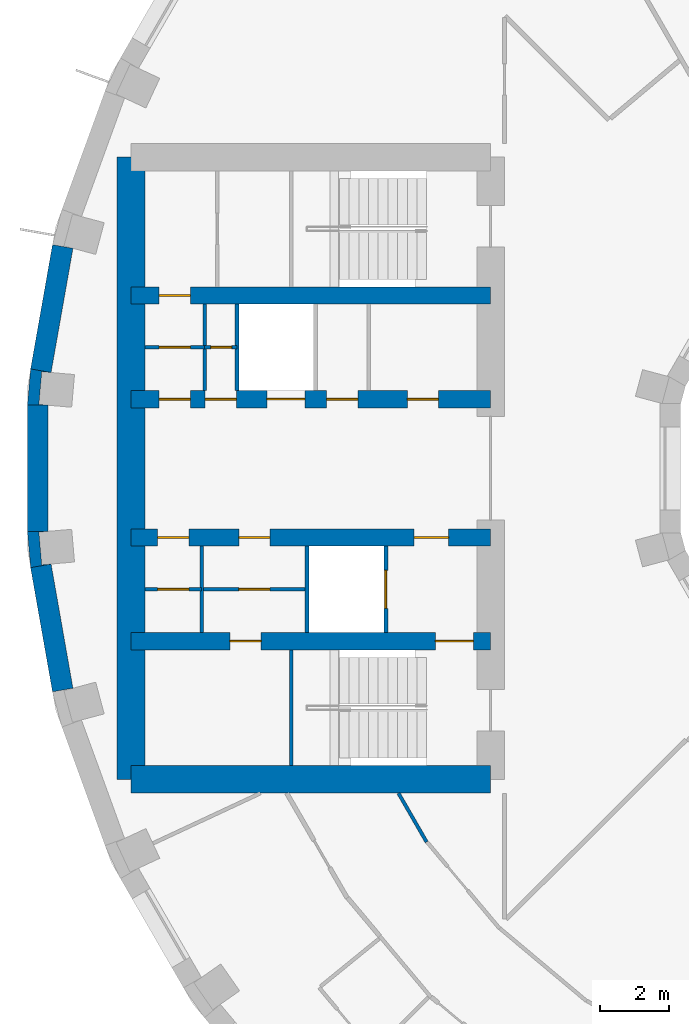
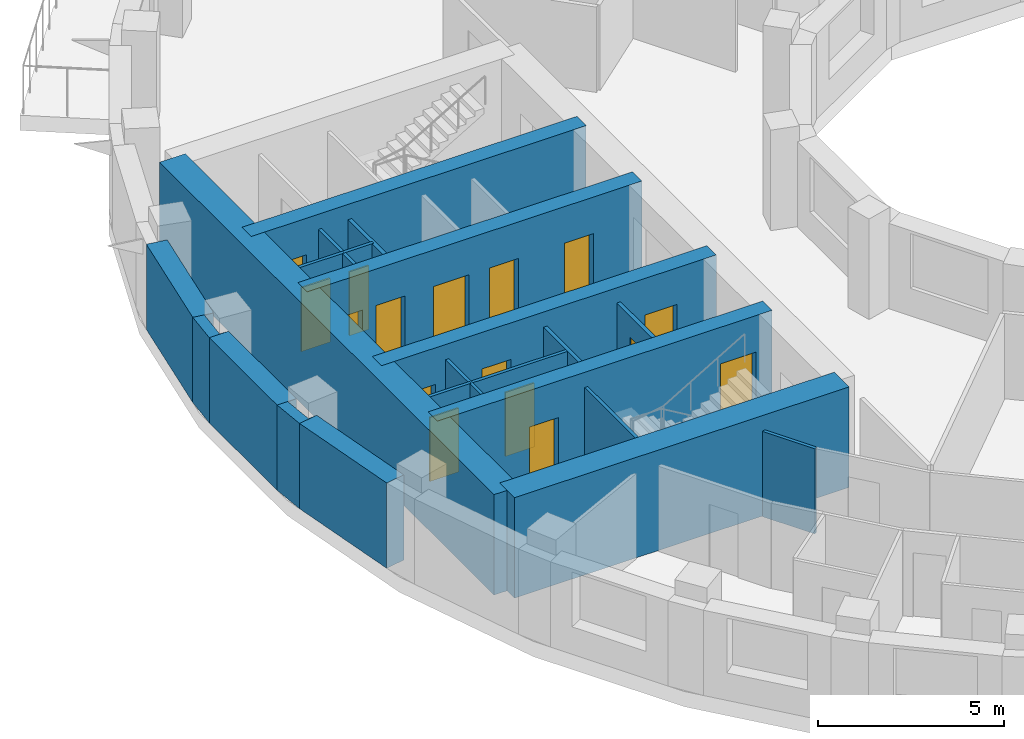
# One storey, part 6 of 14: 22 walls, 16 doors, 16 openings.
"""IFC4 building model written with IfcOpenShell, lengths in metres."""

from ifc_helpers import new_model, si_unit, direction, frame, frame_2d, origin, place, context, subcontext, project, spatial, polyline, rectangle, outline, extrude, material, layer, layer_set, type_object, element, fill, save


model = new_model("IFC4")

# Units and contexts
model_context = context("Model", 3, precision=1e-05, world=origin(), true_north=direction((0.0, 1.0)))
body_context = subcontext(model_context, "Body", "Model", "MODEL_VIEW")
ifc_project = project(units=[si_unit("LENGTHUNIT", "METRE"), si_unit("AREAUNIT", "SQUARE_METRE"), si_unit("VOLUMEUNIT", "CUBIC_METRE"), si_unit("PLANEANGLEUNIT", "RADIAN"), si_unit("MASSUNIT", "GRAM", prefix="KILO")], contexts=[model_context])

# Site, building, storey
site_placement = place(None, origin())
site = spatial("IfcSite", under=ifc_project, at=site_placement, CompositionType="ELEMENT")
building_placement = place(site_placement, origin())
building = spatial("IfcBuilding", under=site, at=building_placement, Name="Saqina Gate Tower", CompositionType="ELEMENT")
storey_placement = place(building_placement, frame((0.0, 0.0, 98.5)))
storey = spatial("IfcBuildingStorey", under=building, at=storey_placement, Name="L27", CompositionType="ELEMENT", Elevation=98.5)

# Walls
ifc_material_1 = material(Name="Brick masonry (buff)", Category="masonry")
wall_type_1 = type_object("IfcWallType", Name="BRICK PIER COPING BUFF", PredefinedType="SOLIDWALL", material=ifc_material_1)
wall_1_placement = place(storey_placement, origin())
element("IfcWall", 1, at=wall_1_placement, inside=storey, type_object=wall_type_1, Name="Pier cap L27 column 18", PredefinedType="SOLIDWALL", context=body_context, shape_type="SweptSolid", body=[
    extrude(outline(polyline([(-26.805419921875, 2.87451171875), (-26.897216796875, 1.823974609375), (-26.29736328125, 1.823974609375), (-26.565185546875, 1.847412109375), (-26.482421875, 2.793701171875), (-26.214599609375, 2.770263671875), (-26.805419921875, 2.87451171875)])), origin(), (0.0, 0.0, 1.0), 2.800048828125),
])
wall_2_placement = place(storey_placement, origin())
element("IfcWall", 2, at=wall_2_placement, inside=storey, type_object=wall_type_1, Name="Pier cap L27 column 19", PredefinedType="SOLIDWALL", context=body_context, shape_type="SweptSolid", body=[
    extrude(outline(polyline([(-26.805419921875, -2.87451171875), (-26.214599609375, -2.770263671875), (-26.482421875, -2.793701171875), (-26.565185546875, -1.847412109375), (-26.29736328125, -1.823974609375), (-26.897216796875, -1.823974609375), (-26.805419921875, -2.87451171875)])), origin(), (0.0, 0.0, 1.0), 2.800048828125),
])
ifc_material_2 = material(Name="Gypsum board on steel studs", Category="steel")
ifc_layer_1 = layer(ifc_material_2, 0.10009765625)
ifc_layer_set_1 = layer_set([ifc_layer_1], Name="CORE PARTITION")
wall_type_2 = type_object("IfcWallType", Name="CORE PARTITION", PredefinedType="PARTITIONING", material=ifc_layer_set_1)
for number, where, z_axis, x_axis, name in (
    (3, (-21.77099609375, 2.25, 0.0), (0.0, 0.0, 1.0), (0.0, 1.0, 0.0), "L27-CP-W04"),
    (4, (-21.8583984375, -4.75, 0.0), (0.0, 0.0, 1.0), (0.0, 1.0, 0.0), "L27-CP-W07"),
):
    element("IfcWall", number, at=place(storey_placement, frame(where, z_axis=z_axis, x_axis=x_axis)), inside=storey, type_object=wall_type_2, Name=name, PredefinedType="PARTITIONING", context=body_context, shape_type="SweptSolid", body=[
        extrude(rectangle(XDim=2.5, YDim=0.10009765625, at=frame_2d((1.25, 0.0))), origin(), (0.0, 0.0, 1.0), 2.800048828125),
    ])

# Wall, opening, door
wall_3_placement = place(storey_placement, frame((-20.840087890625, 3.5, 0.0), z_axis=(0.0, 0.0, 1.0), x_axis=(-1.0, 0.0, 0.0)))
wall_3 = element("IfcWall", 5, at=wall_3_placement, inside=storey, type_object=wall_type_2, Name="L27-CP-W08", PredefinedType="PARTITIONING", context=body_context, shape_type="SweptSolid", body=[
    extrude(rectangle(XDim=0.930908203125, YDim=0.10009765625, at=frame_2d((0.46533203125, 0.0))), origin(), (0.0, 0.0, 1.0), 2.800048828125),
])
opening_1_placement = place(wall_3_placement, frame((0.14990234375, 0.0, 0.0)))
opening_1 = element("IfcOpeningElement", 6, at=opening_1_placement, cuts=wall_3, Name="Opening G07-D141", PredefinedType="OPENING", context=body_context, shape_type="SweptSolid", body=[
    extrude(rectangle(XDim=0.60009765625, YDim=2.10009765625, at=frame_2d((0.300048828125, 1.050048828125))), frame((0.0, 0.06201171875, 0.0), z_axis=(0.0, -1.0, 0.0), x_axis=(1.0, 0.0, 0.0)), (0.0, 0.0, 1.0), 0.1240234375),
])
ifc_material_3 = material(Name="Steel-framed fire door leaf, EI 60", Category="steel")
door_type_1 = type_object("IfcDoorType", Name="SERVICE ROOM DOOR 600", OperationType="SINGLE_SWING_LEFT", PredefinedType="DOOR", material=ifc_material_3)
door_1_placement = place(opening_1_placement, origin())
door_1 = element("IfcDoor", 7, at=door_1_placement, inside=storey, type_object=door_type_1, Name="L27-CD-W26", OperationType="SINGLE_SWING_LEFT", OverallHeight=2.10009765625, OverallWidth=0.60009765625, PredefinedType="DOOR", context=body_context, shape_type="SweptSolid", body=[
    extrude(rectangle(XDim=0.60009765625, YDim=2.10009765625, at=frame_2d((0.300048828125, 1.050048828125))), frame((0.0, 0.02490234375, 0.0), z_axis=(0.0, -1.0, 0.0), x_axis=(1.0, 0.0, 0.0)), (0.0, 0.0, 1.0), 0.050048828125),
])
fill(opening_1, door_1)

wall_4_placement = place(storey_placement, frame((-21.77099609375, 3.5, 0.0), z_axis=(0.0, 0.0, 1.0), x_axis=(-1.0, 0.0, 0.0)))
wall_4 = element("IfcWall", 8, at=wall_4_placement, inside=storey, type_object=wall_type_2, Name="L27-CP-W09", PredefinedType="PARTITIONING", context=body_context, shape_type="SweptSolid", body=[
    extrude(rectangle(XDim=1.72900390625, YDim=0.10009765625, at=frame_2d((0.864501953125, 0.0))), origin(), (0.0, 0.0, 1.0), 2.800048828125),
])
opening_2_placement = place(wall_4_placement, frame((0.41455078125, 0.0, 0.0)))
opening_2 = element("IfcOpeningElement", 9, at=opening_2_placement, cuts=wall_4, Name="Opening G07-D142", PredefinedType="OPENING", context=body_context, shape_type="SweptSolid", body=[
    extrude(rectangle(XDim=0.89990234375, YDim=2.10009765625, at=frame_2d((0.449951171875, 1.050048828125))), frame((0.0, 0.06201171875, 0.0), z_axis=(0.0, -1.0, 0.0), x_axis=(1.0, 0.0, 0.0)), (0.0, 0.0, 1.0), 0.1240234375),
])
ifc_material_4 = material(Name="Steel-framed fire door leaf, EI 60", Category="steel")
door_type_2 = type_object("IfcDoorType", Name="SERVICE ROOM DOOR 900", OperationType="SINGLE_SWING_LEFT", PredefinedType="DOOR", material=ifc_material_4)
door_2_placement = place(opening_2_placement, frame((0.89990234375, 0.0, 0.0), z_axis=(0.0, 0.0, 1.0), x_axis=(-1.0, 0.0, 0.0)))
door_2 = element("IfcDoor", 10, at=door_2_placement, inside=storey, type_object=door_type_2, Name="L27-CD-W27", OperationType="SINGLE_SWING_LEFT", OverallHeight=2.10009765625, OverallWidth=0.89990234375, PredefinedType="DOOR", context=body_context, shape_type="SweptSolid", body=[
    extrude(rectangle(XDim=0.89990234375, YDim=2.10009765625, at=frame_2d((0.449951171875, 1.050048828125))), frame((0.0, 0.02490234375, 0.0), z_axis=(0.0, -1.0, 0.0), x_axis=(1.0, 0.0, 0.0)), (0.0, 0.0, 1.0), 0.050048828125),
])
fill(opening_2, door_2)

wall_5_placement = place(storey_placement, frame((-18.81005859375, -3.5, 0.0), z_axis=(0.0, 0.0, 1.0), x_axis=(-1.0, 0.0, 0.0)))
wall_5 = element("IfcWall", 11, at=wall_5_placement, inside=storey, type_object=wall_type_2, Name="L27-CP-W10", PredefinedType="PARTITIONING", context=body_context, shape_type="SweptSolid", body=[
    extrude(rectangle(XDim=3.04833984375, YDim=0.10009765625, at=frame_2d((1.524169921875, 0.0))), origin(), (0.0, 0.0, 1.0), 2.800048828125),
])
opening_3_placement = place(wall_5_placement, frame((1.07421875, 0.0, 0.0)))
opening_3 = element("IfcOpeningElement", 12, at=opening_3_placement, cuts=wall_5, Name="Opening G07-D120", PredefinedType="OPENING", context=body_context, shape_type="SweptSolid", body=[
    extrude(rectangle(XDim=0.89990234375, YDim=2.10009765625, at=frame_2d((0.449951171875, 1.050048828125))), frame((0.0, 0.06201171875, 0.0), z_axis=(0.0, -1.0, 0.0), x_axis=(1.0, 0.0, 0.0)), (0.0, 0.0, 1.0), 0.1240234375),
])
door_3_placement = place(opening_3_placement, origin())
door_3 = element("IfcDoor", 13, at=door_3_placement, inside=storey, type_object=door_type_2, Name="L27-CD-W31", OperationType="SINGLE_SWING_LEFT", OverallHeight=2.10009765625, OverallWidth=0.89990234375, PredefinedType="DOOR", context=body_context, shape_type="SweptSolid", body=[
    extrude(rectangle(XDim=0.89990234375, YDim=2.10009765625, at=frame_2d((0.449951171875, 1.050048828125))), frame((0.0, 0.02490234375, 0.0), z_axis=(0.0, -1.0, 0.0), x_axis=(1.0, 0.0, 0.0)), (0.0, 0.0, 1.0), 0.050048828125),
])
fill(opening_3, door_3)

wall_6_placement = place(storey_placement, frame((-21.8583984375, -3.5, 0.0), z_axis=(0.0, 0.0, 1.0), x_axis=(-1.0, 0.0, 0.0)))
wall_6 = element("IfcWall", 14, at=wall_6_placement, inside=storey, type_object=wall_type_2, Name="L27-CP-W11", PredefinedType="PARTITIONING", context=body_context, shape_type="SweptSolid", body=[
    extrude(rectangle(XDim=1.6416015625, YDim=0.10009765625, at=frame_2d((0.82080078125, 0.0))), origin(), (0.0, 0.0, 1.0), 2.800048828125),
])
opening_4_placement = place(wall_6_placement, frame((0.370849609375, 0.0, 0.0)))
opening_4 = element("IfcOpeningElement", 15, at=opening_4_placement, cuts=wall_6, Name="Opening G07-D145", PredefinedType="OPENING", context=body_context, shape_type="SweptSolid", body=[
    extrude(rectangle(XDim=0.89990234375, YDim=2.10009765625, at=frame_2d((0.449951171875, 1.050048828125))), frame((0.0, 0.06201171875, 0.0), z_axis=(0.0, -1.0, 0.0), x_axis=(1.0, 0.0, 0.0)), (0.0, 0.0, 1.0), 0.1240234375),
])
door_4_placement = place(opening_4_placement, origin())
door_4 = element("IfcDoor", 16, at=door_4_placement, inside=storey, type_object=door_type_2, Name="L27-CD-W30", OperationType="SINGLE_SWING_RIGHT", OverallHeight=2.10009765625, OverallWidth=0.89990234375, PredefinedType="DOOR", context=body_context, shape_type="SweptSolid", body=[
    extrude(rectangle(XDim=0.89990234375, YDim=2.10009765625, at=frame_2d((0.449951171875, 1.050048828125))), frame((0.0, 0.02490234375, 0.0), z_axis=(0.0, -1.0, 0.0), x_axis=(1.0, 0.0, 0.0)), (0.0, 0.0, 1.0), 0.050048828125),
])
fill(opening_4, door_4)

# Walls
ifc_material_5 = material(Name="Glazed ceramic tile", Category="ceramic")
ifc_layer_2 = layer(ifc_material_5, 0.60009765625)
ifc_layer_set_2 = layer_set([ifc_layer_2], Name="FW-TILE")
wall_type_3 = type_object("IfcWallType", Name="FW-TILE", PredefinedType="SOLIDWALL", material=ifc_layer_set_2)
wall_7_placement = place(storey_placement, frame((-26.59716796875, 1.823974609375, 0.0), z_axis=(0.0, 0.0, 1.0), x_axis=(0.0, -1.0, 0.0)))
element("IfcWall", 17, at=wall_7_placement, inside=storey, type_object=wall_type_3, Name="Facade wall L27 facet 18", PredefinedType="SOLIDWALL", context=body_context, shape_type="SweptSolid", body=[
    extrude(rectangle(XDim=3.64794921875, YDim=0.60009765625, at=frame_2d((1.823974609375, 0.0))), origin(), (0.0, 0.0, 1.0), 2.800048828125),
])
ifc_material_6 = material(Name="Glazed ceramic tile (dark blue)", Category="ceramic")
ifc_layer_3 = layer(ifc_material_6, 0.60009765625)
ifc_layer_set_3 = layer_set([ifc_layer_3], Name="FW-TILE-CB")
wall_type_4 = type_object("IfcWallType", Name="FW-TILE-CB", PredefinedType="SOLIDWALL", material=ifc_layer_set_3)
wall_8_placement = place(storey_placement, frame((-26.510009765625, -2.822265625, 0.0), z_axis=(0.0, 0.0, 1.0), x_axis=(0.173670796382, -0.984803764455, 0.0)))
element("IfcWall", 18, at=wall_8_placement, inside=storey, type_object=wall_type_4, Name="Facade wall L27 facet 19", PredefinedType="SOLIDWALL", context=body_context, shape_type="SweptSolid", body=[
    extrude(rectangle(XDim=3.64794921875, YDim=0.60009765625, at=frame_2d((1.823974609375, 0.0))), origin(), (0.0, 0.0, 1.0), 2.800048828125),
])
ifc_material_7 = material(Name="Glazed ceramic tile (white)", Category="ceramic")
ifc_layer_4 = layer(ifc_material_7, 0.60009765625)
ifc_layer_set_4 = layer_set([ifc_layer_4], Name="FW-TILE-WH")
wall_type_5 = type_object("IfcWallType", Name="FW-TILE-WH", PredefinedType="SOLIDWALL", material=ifc_layer_set_4)
wall_9_placement = place(storey_placement, frame((-25.87646484375, 6.414794921875, 0.0), z_axis=(0.0, 0.0, 1.0), x_axis=(-0.173670796382, -0.984803764455, 0.0)))
element("IfcWall", 19, at=wall_9_placement, inside=storey, type_object=wall_type_5, Name="Facade wall L27 facet 17", PredefinedType="SOLIDWALL", context=body_context, shape_type="SweptSolid", body=[
    extrude(rectangle(XDim=3.64794921875, YDim=0.60009765625, at=frame_2d((1.823974609375, 0.0))), origin(), (0.0, 0.0, 1.0), 2.800048828125),
])
ifc_material_8 = material(Name="Gypsum board on steel studs, 100 mm", Category="steel")
ifc_layer_5 = layer(ifc_material_8, 0.10009765625)
ifc_layer_set_5 = layer_set([ifc_layer_5], Name="PARTITION 100")
wall_type_6 = type_object("IfcWallType", Name="PARTITION 100", PredefinedType="PARTITIONING", material=ifc_layer_set_5)
wall_10_placement = place(storey_placement, frame((-16.1640625, -9.39990234375, 0.0), z_axis=(0.0, 0.0, 1.0), x_axis=(0.499687832671, -0.866205558676, 0.0)))
element("IfcWall", 20, at=wall_10_placement, inside=storey, type_object=wall_type_6, Name="PARTITION PW3-10", PredefinedType="PARTITIONING", context=body_context, shape_type="SweptSolid", body=[
    extrude(rectangle(XDim=1.6279296875, YDim=0.10009765625, at=frame_2d((0.81396484375, 0.0))), origin(), (0.0, 0.0, 1.0), 2.800048828125),
])
ifc_material_9 = material(Name="Autoclaved aerated concrete block", Category="concrete")
ifc_layer_6 = layer(ifc_material_9, 0.1201171875)
ifc_layer_set_6 = layer_set([ifc_layer_6], Name="SHAFT PARTITION")
wall_type_7 = type_object("IfcWallType", Name="SHAFT PARTITION", PredefinedType="PARTITIONING", material=ifc_layer_set_6)
wall_11_placement = place(storey_placement, frame((-20.840087890625, 2.25, 0.0), z_axis=(0.0, 0.0, 1.0), x_axis=(0.0, 1.0, 0.0)))
element("IfcWall", 21, at=wall_11_placement, inside=storey, type_object=wall_type_7, Name="L27-CP-W03", PredefinedType="PARTITIONING", context=body_context, shape_type="SweptSolid", body=[
    extrude(rectangle(XDim=2.5, YDim=0.1201171875, at=frame_2d((1.25, 0.0))), origin(), (0.0, 0.0, 1.0), 2.800048828125),
])

# Wall, opening, door
wall_12_placement = place(storey_placement, frame((-16.530029296875, -4.75, 0.0), z_axis=(0.0, 0.0, 1.0), x_axis=(0.0, 1.0, 0.0)))
wall_12 = element("IfcWall", 22, at=wall_12_placement, inside=storey, type_object=wall_type_7, Name="L27-CP-W05", PredefinedType="PARTITIONING", context=body_context, shape_type="SweptSolid", body=[
    extrude(rectangle(XDim=2.5, YDim=0.1201171875, at=frame_2d((1.25, 0.0))), origin(), (0.0, 0.0, 1.0), 2.800048828125),
])
opening_5_placement = place(wall_12_placement, frame((0.699951171875, 0.0, 0.0)))
opening_5 = element("IfcOpeningElement", 23, at=opening_5_placement, cuts=wall_12, Name="Opening G07-LD4", PredefinedType="OPENING", context=body_context, shape_type="SweptSolid", body=[
    extrude(rectangle(XDim=1.10009765625, YDim=2.10009765625, at=frame_2d((0.550048828125, 1.050048828125))), frame((0.0, 0.072021484375, 0.0), z_axis=(0.0, -1.0, 0.0), x_axis=(1.0, 0.0, 0.0)), (0.0, 0.0, 1.0), 0.14404296875),
])
ifc_material_10 = material(Name="Stainless steel", Category="steel")
door_type_3 = type_object("IfcDoorType", Name="LANDING DOOR", OperationType="DOUBLE_DOOR_SLIDING", PredefinedType="DOOR", material=ifc_material_10)
door_5_placement = place(opening_5_placement, origin())
door_5 = element("IfcDoor", 24, at=door_5_placement, inside=storey, type_object=door_type_3, Name="LANDING DOOR FF2", OperationType="DOUBLE_DOOR_SLIDING", OverallHeight=2.10009765625, OverallWidth=1.10009765625, PredefinedType="DOOR", context=body_context, shape_type="SweptSolid", body=[
    extrude(rectangle(XDim=1.10009765625, YDim=2.10009765625, at=frame_2d((0.550048828125, 1.050048828125))), frame((0.0, 0.02490234375, 0.0), z_axis=(0.0, -1.0, 0.0), x_axis=(1.0, 0.0, 0.0)), (0.0, 0.0, 1.0), 0.050048828125),
])
fill(opening_5, door_5)

# Walls
wall_13_placement = place(storey_placement, frame((-18.81005859375, -4.75, 0.0), z_axis=(0.0, 0.0, 1.0), x_axis=(0.0, 1.0, 0.0)))
element("IfcWall", 25, at=wall_13_placement, inside=storey, type_object=wall_type_7, Name="L27-CP-W06", PredefinedType="PARTITIONING", context=body_context, shape_type="SweptSolid", body=[
    extrude(rectangle(XDim=2.5, YDim=0.1201171875, at=frame_2d((1.25, 0.0))), origin(), (0.0, 0.0, 1.0), 2.800048828125),
])
ifc_material_11 = material(Name="Autoclaved aerated concrete block", Category="concrete")
ifc_layer_7 = layer(ifc_material_11, 0.10009765625)
ifc_layer_set_7 = layer_set([ifc_layer_7], Name="STAIR ENCLOSURE WALL")
wall_type_8 = type_object("IfcWallType", Name="STAIR ENCLOSURE WALL", PredefinedType="PARTITIONING", material=ifc_layer_set_7)
wall_14_placement = place(storey_placement, frame((-19.27001953125, -8.60009765625, 0.0), z_axis=(0.0, 0.0, 1.0), x_axis=(0.0, 1.0, 0.0)))
element("IfcWall", 26, at=wall_14_placement, inside=storey, type_object=wall_type_8, Name="L27-CP-W14", PredefinedType="PARTITIONING", context=body_context, shape_type="SweptSolid", body=[
    extrude(rectangle(XDim=3.35009765625, YDim=0.10009765625, at=frame_2d((1.675048828125, 0.0))), origin(), (0.0, 0.0, 1.0), 2.800048828125),
])

# Wall, opening, door
ifc_material_12 = material(Name="Concrete C70/85", Category="concrete")
ifc_layer_8 = layer(ifc_material_12, 0.5)
ifc_layer_set_8 = layer_set([ifc_layer_8], Name="Concrete C70/85")
wall_type_9 = type_object("IfcWallType", Name="STR-CORE WALL-B-I", PredefinedType="SHEAR", material=ifc_layer_set_8)
wall_15_placement = place(storey_placement, frame((-13.5, 5.0, 0.0), z_axis=(0.0, 0.0, 1.0), x_axis=(-1.0, 0.0, 0.0)))
wall_15 = element("IfcWall", 27, at=wall_15_placement, inside=storey, type_object=wall_type_9, Name="CORE WALL L27 W-X1", PredefinedType="SHEAR", context=body_context, shape_type="SweptSolid", body=[
    extrude(rectangle(XDim=10.39990234375, YDim=0.5, at=frame_2d((5.199951171875, 0.0))), origin(), (0.0, 0.0, 1.0), 3.300048828125),
])
opening_6_placement = place(wall_15_placement, frame((8.685546875, 0.0, 0.0)))
opening_6 = element("IfcOpeningElement", 28, at=opening_6_placement, cuts=wall_15, Name="Opening G07-D144", PredefinedType="OPENING", context=body_context, shape_type="SweptSolid", body=[
    extrude(rectangle(XDim=0.89990234375, YDim=2.10009765625, at=frame_2d((0.449951171875, 1.050048828125))), frame((0.0, 0.261962890625, 0.0), z_axis=(0.0, -1.0, 0.0), x_axis=(1.0, 0.0, 0.0)), (0.0, 0.0, 1.0), 0.52392578125),
])
door_6_placement = place(opening_6_placement, frame((0.89990234375, 0.0, 0.0), z_axis=(0.0, 0.0, 1.0), x_axis=(-1.0, 0.0, 0.0)))
door_6 = element("IfcDoor", 29, at=door_6_placement, inside=storey, type_object=door_type_2, Name="L27-CD-W29", OperationType="SINGLE_SWING_LEFT", OverallHeight=2.10009765625, OverallWidth=0.89990234375, PredefinedType="DOOR", context=body_context, shape_type="SweptSolid", body=[
    extrude(rectangle(XDim=0.89990234375, YDim=2.10009765625, at=frame_2d((0.449951171875, 1.050048828125))), frame((0.0, 0.02490234375, 0.0), z_axis=(0.0, -1.0, 0.0), x_axis=(1.0, 0.0, 0.0)), (0.0, 0.0, 1.0), 0.050048828125),
])
fill(opening_6, door_6)

# Wall, openings, doors
wall_16_placement = place(storey_placement, frame((-13.5, -5.0, 0.0), z_axis=(0.0, 0.0, 1.0), x_axis=(-1.0, 0.0, 0.0)))
wall_16 = element("IfcWall", 30, at=wall_16_placement, inside=storey, type_object=wall_type_9, Name="CORE WALL L27 W-X2", PredefinedType="SHEAR", context=body_context, shape_type="SweptSolid", body=[
    extrude(rectangle(XDim=10.39990234375, YDim=0.5, at=frame_2d((5.199951171875, 0.0))), origin(), (0.0, 0.0, 1.0), 3.300048828125),
])
opening_7_placement = place(wall_16_placement, frame((6.63916015625, 0.0, 0.0)))
opening_7 = element("IfcOpeningElement", 31, at=opening_7_placement, cuts=wall_16, Name="Opening G07-D121", PredefinedType="OPENING", context=body_context, shape_type="SweptSolid", body=[
    extrude(rectangle(XDim=0.89990234375, YDim=2.10009765625, at=frame_2d((0.449951171875, 1.050048828125))), frame((0.0, 0.261962890625, 0.0), z_axis=(0.0, -1.0, 0.0), x_axis=(1.0, 0.0, 0.0)), (0.0, 0.0, 1.0), 0.52392578125),
])
opening_8_placement = place(wall_16_placement, frame((0.5, 0.0, 0.0)))
opening_8 = element("IfcOpeningElement", 32, at=opening_8_placement, cuts=wall_16, Name="Opening G07-D122", PredefinedType="OPENING", context=body_context, shape_type="SweptSolid", body=[
    extrude(rectangle(XDim=1.10009765625, YDim=2.10009765625, at=frame_2d((0.550048828125, 1.050048828125))), frame((0.0, 0.261962890625, 0.0), z_axis=(0.0, -1.0, 0.0), x_axis=(1.0, 0.0, 0.0)), (0.0, 0.0, 1.0), 0.52392578125),
])
ifc_material_13 = material(Name="Steel", Category="steel")
door_type_4 = type_object("IfcDoorType", Name="FIRE LOBBY DOOR EI 60 WIDE", OperationType="SINGLE_SWING_LEFT", PredefinedType="DOOR", material=ifc_material_13)
door_7_placement = place(opening_8_placement, origin())
door_7 = element("IfcDoor", 33, at=door_7_placement, inside=storey, type_object=door_type_4, Name="L27-CD-W33", OperationType="SINGLE_SWING_LEFT", OverallHeight=2.10009765625, OverallWidth=1.10009765625, PredefinedType="DOOR", context=body_context, shape_type="SweptSolid", body=[
    extrude(rectangle(XDim=1.10009765625, YDim=2.10009765625, at=frame_2d((0.550048828125, 1.050048828125))), frame((0.0, 0.02490234375, 0.0), z_axis=(0.0, -1.0, 0.0), x_axis=(1.0, 0.0, 0.0)), (0.0, 0.0, 1.0), 0.050048828125),
])
fill(opening_8, door_7)
door_8_placement = place(opening_7_placement, origin())
door_8 = element("IfcDoor", 34, at=door_8_placement, inside=storey, type_object=door_type_2, Name="L27-CD-W32", OperationType="SINGLE_SWING_RIGHT", OverallHeight=2.10009765625, OverallWidth=0.89990234375, PredefinedType="DOOR", context=body_context, shape_type="SweptSolid", body=[
    extrude(rectangle(XDim=0.89990234375, YDim=2.10009765625, at=frame_2d((0.449951171875, 1.050048828125))), frame((0.0, 0.02490234375, 0.0), z_axis=(0.0, -1.0, 0.0), x_axis=(1.0, 0.0, 0.0)), (0.0, 0.0, 1.0), 0.050048828125),
])
fill(opening_7, door_8)

wall_17_placement = place(storey_placement, frame((-13.5, 2.0, 0.0), z_axis=(0.0, 0.0, 1.0), x_axis=(-1.0, 0.0, 0.0)))
wall_17 = element("IfcWall", 35, at=wall_17_placement, inside=storey, type_object=wall_type_9, Name="CORE WALL L27 W-L1", PredefinedType="SHEAR", context=body_context, shape_type="SweptSolid", body=[
    extrude(rectangle(XDim=10.39990234375, YDim=0.5, at=frame_2d((5.199951171875, 0.0))), origin(), (0.0, 0.0, 1.0), 3.300048828125),
])
opening_9_placement = place(wall_17_placement, frame((5.3701171875, 0.0, 0.0)))
opening_9 = element("IfcOpeningElement", 36, at=opening_9_placement, cuts=wall_17, Name="Opening G07-LD3", PredefinedType="OPENING", context=body_context, shape_type="SweptSolid", body=[
    extrude(rectangle(XDim=1.10009765625, YDim=2.10009765625, at=frame_2d((0.550048828125, 1.050048828125))), frame((0.0, 0.261962890625, 0.0), z_axis=(0.0, -1.0, 0.0), x_axis=(1.0, 0.0, 0.0)), (0.0, 0.0, 1.0), 0.52392578125),
])
opening_10_placement = place(wall_17_placement, frame((1.510986328125, 0.0, 0.0)))
opening_10 = element("IfcOpeningElement", 37, at=opening_10_placement, cuts=wall_17, Name="Opening G07-D105", PredefinedType="OPENING", context=body_context, shape_type="SweptSolid", body=[
    extrude(rectangle(XDim=0.89990234375, YDim=2.10009765625, at=frame_2d((0.449951171875, 1.050048828125))), frame((0.0, 0.261962890625, 0.0), z_axis=(0.0, -1.0, 0.0), x_axis=(1.0, 0.0, 0.0)), (0.0, 0.0, 1.0), 0.52392578125),
])
opening_11_placement = place(wall_17_placement, frame((3.841064453125, 0.0, 0.0)))
opening_11 = element("IfcOpeningElement", 38, at=opening_11_placement, cuts=wall_17, Name="Opening G07-D106", PredefinedType="OPENING", context=body_context, shape_type="SweptSolid", body=[
    extrude(rectangle(XDim=0.89990234375, YDim=2.10009765625, at=frame_2d((0.449951171875, 1.050048828125))), frame((0.0, 0.261962890625, 0.0), z_axis=(0.0, -1.0, 0.0), x_axis=(1.0, 0.0, 0.0)), (0.0, 0.0, 1.0), 0.52392578125),
])
opening_12_placement = place(wall_17_placement, frame((7.35546875, 0.0, 0.0)))
opening_12 = element("IfcOpeningElement", 39, at=opening_12_placement, cuts=wall_17, Name="Opening G07-D137", PredefinedType="OPENING", context=body_context, shape_type="SweptSolid", body=[
    extrude(rectangle(XDim=0.89990234375, YDim=2.10009765625, at=frame_2d((0.449951171875, 1.050048828125))), frame((0.0, 0.261962890625, 0.0), z_axis=(0.0, -1.0, 0.0), x_axis=(1.0, 0.0, 0.0)), (0.0, 0.0, 1.0), 0.52392578125),
])
opening_13_placement = place(wall_17_placement, frame((8.685546875, 0.0, 0.0)))
opening_13 = element("IfcOpeningElement", 40, at=opening_13_placement, cuts=wall_17, Name="Opening G07-D138", PredefinedType="OPENING", context=body_context, shape_type="SweptSolid", body=[
    extrude(rectangle(XDim=0.89990234375, YDim=2.10009765625, at=frame_2d((0.449951171875, 1.050048828125))), frame((0.0, 0.261962890625, 0.0), z_axis=(0.0, -1.0, 0.0), x_axis=(1.0, 0.0, 0.0)), (0.0, 0.0, 1.0), 0.52392578125),
])
door_9_placement = place(opening_9_placement, origin())
door_9 = element("IfcDoor", 41, at=door_9_placement, inside=storey, type_object=door_type_3, Name="LANDING DOOR MR2", OperationType="DOUBLE_DOOR_SLIDING", OverallHeight=2.10009765625, OverallWidth=1.10009765625, PredefinedType="DOOR", context=body_context, shape_type="SweptSolid", body=[
    extrude(rectangle(XDim=1.10009765625, YDim=2.10009765625, at=frame_2d((0.550048828125, 1.050048828125))), frame((0.0, 0.02490234375, 0.0), z_axis=(0.0, -1.0, 0.0), x_axis=(1.0, 0.0, 0.0)), (0.0, 0.0, 1.0), 0.050048828125),
])
fill(opening_9, door_9)
door_10_placement = place(opening_10_placement, frame((0.89990234375, 0.0, 0.0), z_axis=(0.0, 0.0, 1.0), x_axis=(-1.0, 0.0, 0.0)))
door_10 = element("IfcDoor", 42, at=door_10_placement, inside=storey, type_object=door_type_2, Name="L27-CD-W19", OperationType="SINGLE_SWING_RIGHT", OverallHeight=2.10009765625, OverallWidth=0.89990234375, PredefinedType="DOOR", context=body_context, shape_type="SweptSolid", body=[
    extrude(rectangle(XDim=0.89990234375, YDim=2.10009765625, at=frame_2d((0.449951171875, 1.050048828125))), frame((0.0, 0.02490234375, 0.0), z_axis=(0.0, -1.0, 0.0), x_axis=(1.0, 0.0, 0.0)), (0.0, 0.0, 1.0), 0.050048828125),
])
fill(opening_10, door_10)
door_11_placement = place(opening_11_placement, frame((0.89990234375, 0.0, 0.0), z_axis=(0.0, 0.0, 1.0), x_axis=(-1.0, 0.0, 0.0)))
door_11 = element("IfcDoor", 43, at=door_11_placement, inside=storey, type_object=door_type_2, Name="L27-CD-W20", OperationType="SINGLE_SWING_LEFT", OverallHeight=2.10009765625, OverallWidth=0.89990234375, PredefinedType="DOOR", context=body_context, shape_type="SweptSolid", body=[
    extrude(rectangle(XDim=0.89990234375, YDim=2.10009765625, at=frame_2d((0.449951171875, 1.050048828125))), frame((0.0, 0.02490234375, 0.0), z_axis=(0.0, -1.0, 0.0), x_axis=(1.0, 0.0, 0.0)), (0.0, 0.0, 1.0), 0.050048828125),
])
fill(opening_11, door_11)
door_12_placement = place(opening_12_placement, frame((0.89990234375, 0.0, 0.0), z_axis=(0.0, 0.0, 1.0), x_axis=(-1.0, 0.0, 0.0)))
door_12 = element("IfcDoor", 44, at=door_12_placement, inside=storey, type_object=door_type_2, Name="L27-CD-W21", OperationType="SINGLE_SWING_RIGHT", OverallHeight=2.10009765625, OverallWidth=0.89990234375, PredefinedType="DOOR", context=body_context, shape_type="SweptSolid", body=[
    extrude(rectangle(XDim=0.89990234375, YDim=2.10009765625, at=frame_2d((0.449951171875, 1.050048828125))), frame((0.0, 0.02490234375, 0.0), z_axis=(0.0, -1.0, 0.0), x_axis=(1.0, 0.0, 0.0)), (0.0, 0.0, 1.0), 0.050048828125),
])
fill(opening_12, door_12)
door_13_placement = place(opening_13_placement, frame((0.89990234375, 0.0, 0.0), z_axis=(0.0, 0.0, 1.0), x_axis=(-1.0, 0.0, 0.0)))
door_13 = element("IfcDoor", 45, at=door_13_placement, inside=storey, type_object=door_type_2, Name="L27-CD-W22", OperationType="SINGLE_SWING_LEFT", OverallHeight=2.10009765625, OverallWidth=0.89990234375, PredefinedType="DOOR", context=body_context, shape_type="SweptSolid", body=[
    extrude(rectangle(XDim=0.89990234375, YDim=2.10009765625, at=frame_2d((0.449951171875, 1.050048828125))), frame((0.0, 0.02490234375, 0.0), z_axis=(0.0, -1.0, 0.0), x_axis=(1.0, 0.0, 0.0)), (0.0, 0.0, 1.0), 0.050048828125),
])
fill(opening_13, door_13)

wall_18_placement = place(storey_placement, frame((-13.5, -2.0, 0.0), z_axis=(0.0, 0.0, 1.0), x_axis=(-1.0, 0.0, 0.0)))
wall_18 = element("IfcWall", 46, at=wall_18_placement, inside=storey, type_object=wall_type_9, Name="CORE WALL L27 W-L2", PredefinedType="SHEAR", context=body_context, shape_type="SweptSolid", body=[
    extrude(rectangle(XDim=10.39990234375, YDim=0.5, at=frame_2d((5.199951171875, 0.0))), origin(), (0.0, 0.0, 1.0), 3.300048828125),
])
opening_14_placement = place(wall_18_placement, frame((1.215087890625, 0.0, 0.0)))
opening_14 = element("IfcOpeningElement", 47, at=opening_14_placement, cuts=wall_18, Name="Opening G07-D109", PredefinedType="OPENING", context=body_context, shape_type="SweptSolid", body=[
    extrude(rectangle(XDim=1.0, YDim=2.10009765625, at=frame_2d((0.5, 1.050048828125))), frame((0.0, 0.261962890625, 0.0), z_axis=(0.0, -1.0, 0.0), x_axis=(1.0, 0.0, 0.0)), (0.0, 0.0, 1.0), 0.52392578125),
])
opening_15_placement = place(wall_18_placement, frame((6.38427734375, 0.0, 0.0)))
opening_15 = element("IfcOpeningElement", 48, at=opening_15_placement, cuts=wall_18, Name="Opening G07-D139", PredefinedType="OPENING", context=body_context, shape_type="SweptSolid", body=[
    extrude(rectangle(XDim=0.89990234375, YDim=2.10009765625, at=frame_2d((0.449951171875, 1.050048828125))), frame((0.0, 0.261962890625, 0.0), z_axis=(0.0, -1.0, 0.0), x_axis=(1.0, 0.0, 0.0)), (0.0, 0.0, 1.0), 0.52392578125),
])
opening_16_placement = place(wall_18_placement, frame((8.729248046875, 0.0, 0.0)))
opening_16 = element("IfcOpeningElement", 49, at=opening_16_placement, cuts=wall_18, Name="Opening G07-D140", PredefinedType="OPENING", context=body_context, shape_type="SweptSolid", body=[
    extrude(rectangle(XDim=0.89990234375, YDim=2.10009765625, at=frame_2d((0.449951171875, 1.050048828125))), frame((0.0, 0.261962890625, 0.0), z_axis=(0.0, -1.0, 0.0), x_axis=(1.0, 0.0, 0.0)), (0.0, 0.0, 1.0), 0.52392578125),
])
ifc_material_14 = material(Name="Steel", Category="steel")
door_type_5 = type_object("IfcDoorType", Name="FIRE LOBBY DOOR EI 60", OperationType="SINGLE_SWING_LEFT", PredefinedType="DOOR", material=ifc_material_14)
door_14_placement = place(opening_14_placement, frame((1.0, 0.0, 0.0), z_axis=(0.0, 0.0, 1.0), x_axis=(-1.0, 0.0, 0.0)))
door_14 = element("IfcDoor", 50, at=door_14_placement, inside=storey, type_object=door_type_5, Name="L27-CD-W23", OperationType="SINGLE_SWING_RIGHT", OverallHeight=2.10009765625, OverallWidth=1.0, PredefinedType="DOOR", context=body_context, shape_type="SweptSolid", body=[
    extrude(rectangle(XDim=1.0, YDim=2.10009765625, at=frame_2d((0.5, 1.050048828125))), frame((0.0, 0.02490234375, 0.0), z_axis=(0.0, -1.0, 0.0), x_axis=(1.0, 0.0, 0.0)), (0.0, 0.0, 1.0), 0.050048828125),
])
fill(opening_14, door_14)
door_15_placement = place(opening_15_placement, origin())
door_15 = element("IfcDoor", 51, at=door_15_placement, inside=storey, type_object=door_type_2, Name="L27-CD-W24", OperationType="SINGLE_SWING_RIGHT", OverallHeight=2.10009765625, OverallWidth=0.89990234375, PredefinedType="DOOR", context=body_context, shape_type="SweptSolid", body=[
    extrude(rectangle(XDim=0.89990234375, YDim=2.10009765625, at=frame_2d((0.449951171875, 1.050048828125))), frame((0.0, 0.02490234375, 0.0), z_axis=(0.0, -1.0, 0.0), x_axis=(1.0, 0.0, 0.0)), (0.0, 0.0, 1.0), 0.050048828125),
])
fill(opening_15, door_15)
door_16_placement = place(opening_16_placement, origin())
door_16 = element("IfcDoor", 52, at=door_16_placement, inside=storey, type_object=door_type_2, Name="L27-CD-W25", OperationType="SINGLE_SWING_RIGHT", OverallHeight=2.10009765625, OverallWidth=0.89990234375, PredefinedType="DOOR", context=body_context, shape_type="SweptSolid", body=[
    extrude(rectangle(XDim=0.89990234375, YDim=2.10009765625, at=frame_2d((0.449951171875, 1.050048828125))), frame((0.0, 0.02490234375, 0.0), z_axis=(0.0, -1.0, 0.0), x_axis=(1.0, 0.0, 0.0)), (0.0, 0.0, 1.0), 0.050048828125),
])
fill(opening_16, door_16)

# Walls
ifc_material_15 = material(Name="Concrete C70/85", Category="concrete")
ifc_layer_9 = layer(ifc_material_15, 0.800048828125)
ifc_layer_set_9 = layer_set([ifc_layer_9], Name="Concrete C70/85")
wall_type_10 = type_object("IfcWallType", Name="STR-CORE WALL-B-O", PredefinedType="SHEAR", material=ifc_layer_set_9)
wall_19_placement = place(storey_placement, frame((-23.89990234375, -9.0, 0.0), z_axis=(0.0, 0.0, 1.0), x_axis=(0.0, 1.0, 0.0)))
element("IfcWall", 53, at=wall_19_placement, inside=storey, type_object=wall_type_10, Name="CORE WALL L27 W-W2", PredefinedType="SHEAR", context=body_context, shape_type="SweptSolid", body=[
    extrude(rectangle(XDim=18.0, YDim=0.800048828125, at=frame_2d((9.0, 0.0))), origin(), (0.0, 0.0, 1.0), 3.300048828125),
])
wall_20_placement = place(storey_placement, frame((-13.5, -9.0, 0.0), z_axis=(0.0, 0.0, 1.0), x_axis=(-1.0, 0.0, 0.0)))
element("IfcWall", 54, at=wall_20_placement, inside=storey, type_object=wall_type_10, Name="CORE WALL L27 W-SE", PredefinedType="SHEAR", context=body_context, shape_type="SweptSolid", body=[
    extrude(rectangle(XDim=10.39990234375, YDim=0.800048828125, at=frame_2d((5.199951171875, 0.0))), origin(), (0.0, 0.0, 1.0), 3.300048828125),
])

save(model, "model.ifc")
